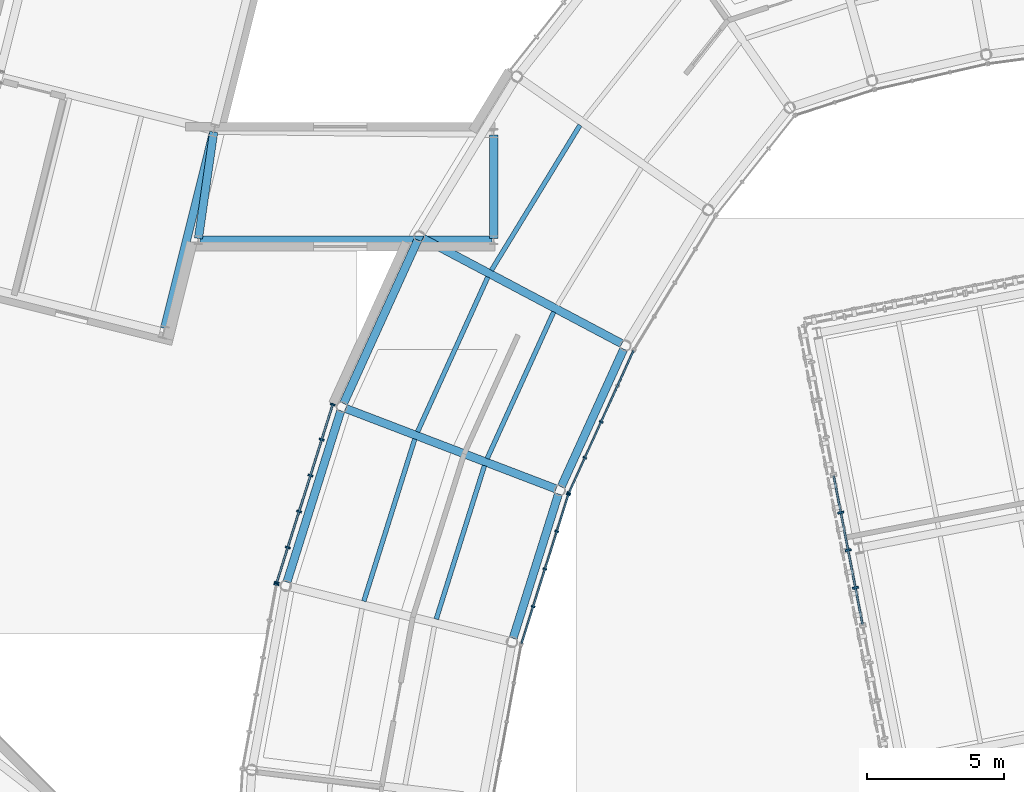
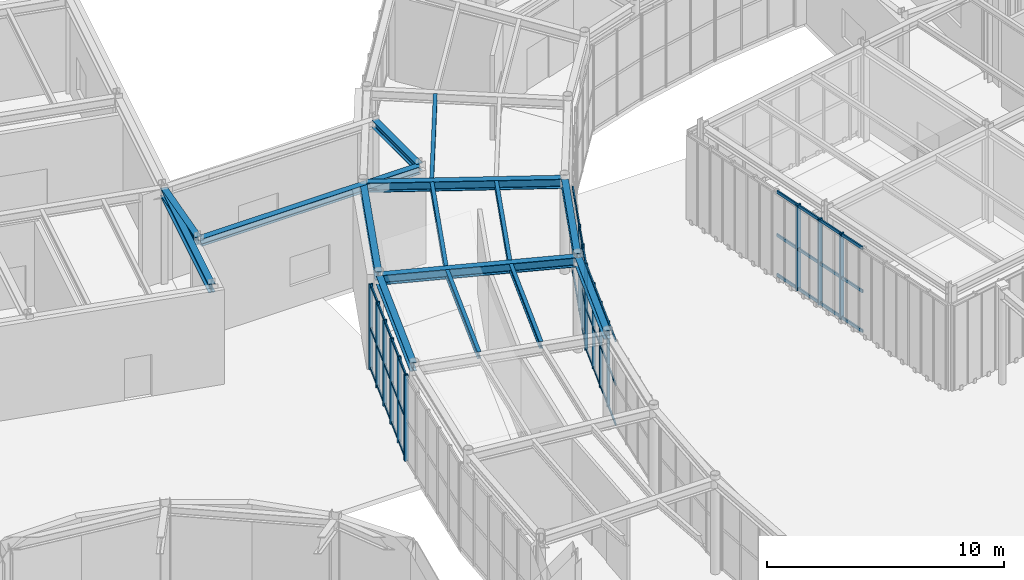
# One storey, part 40 of 97: 29 members, 15 beams, 5 elements without a shape of their own.
"""IFC4 building model written with IfcOpenShell, lengths in metres."""

from ifc_helpers import new_model, si_unit, direction, frame, origin, origin_2d, place, context, subcontext, project, spatial, rectangle, i_section, extrude, material, material_profile, profile_set, type_object, element, aggregate, save


model = new_model("IFC4")

# Units and contexts
model_context = context("Model", 3, precision=1e-05, world=origin(), true_north=direction((0.0, 1.0)))
body_context = subcontext(model_context, "Body", "Model", "MODEL_VIEW")
ifc_project = project(units=[si_unit("LENGTHUNIT", "METRE"), si_unit("AREAUNIT", "SQUARE_METRE"), si_unit("VOLUMEUNIT", "CUBIC_METRE"), si_unit("PLANEANGLEUNIT", "RADIAN"), si_unit("MASSUNIT", "GRAM", prefix="KILO")], contexts=[model_context])

# Site, building, storey
site_placement = place(None, origin())
site = spatial("IfcSite", under=ifc_project, at=site_placement, CompositionType="ELEMENT")
building_placement = place(site_placement, origin())
building = spatial("IfcBuilding", under=site, at=building_placement, Name="Varnklinge Art Gallery", CompositionType="ELEMENT")
storey_placement = place(building_placement, origin())
storey = spatial("IfcBuildingStorey", under=building, at=storey_placement, Name="L00", CompositionType="ELEMENT", Elevation=0.0)

# Beams
ifc_material_1 = material(Name="Steel S355", Category="steel")
ifc_material_profile_1 = material_profile(ifc_material_1, i_section(OverallWidth=0.300048828125, OverallDepth=0.489990234375, WebThickness=0.011962890625, FlangeThickness=0.02294921875, FilletRadius=0.027099609375, at=origin_2d()), Name="HEA 500")
ifc_profile_set_1 = profile_set([ifc_material_profile_1], Name="Steel S355")
beam_type_1 = type_object("IfcBeamType", Name="BM-07", PredefinedType="BEAM", material=ifc_profile_set_1)
for number, where, z_axis, x_axis, name in (
    (1, (46.407470703125, 81.265380859375, 4.635009765625), (0.883713647739, -0.468027978651, 0.0), (0.468027978651, 0.883713647739, 0.0), "L00 BM-07 BM-V2-L01-R23"),
    (2, (43.584228515625, 75.047119140625, 4.635009765625), (0.934013153302, -0.357238616976, 0.0), (0.357238616976, 0.934013153302, 0.0), "L00 BM-07 BM-V2-L01-R24"),
):
    element("IfcBeam", number, at=place(storey_placement, frame(where, z_axis=z_axis, x_axis=x_axis)), inside=storey, type_object=beam_type_1, Name=name, PredefinedType="BEAM", context=body_context, shape_type="SweptSolid", body=[
        extrude(i_section(OverallWidth=0.300048828125, OverallDepth=0.489990234375, WebThickness=0.011962890625, FlangeThickness=0.02294921875, FilletRadius=0.027099609375, at=origin_2d()), origin(), (0.0, 0.0, 1.0), 8.237060546875),
    ])
ifc_material_2 = material(Name="Steel S355", Category="steel")
ifc_material_profile_2 = material_profile(ifc_material_2, i_section(OverallWidth=0.300048828125, OverallDepth=0.43994140625, WebThickness=0.011474609375, FlangeThickness=0.02099609375, FilletRadius=0.027099609375, at=origin_2d()), Name="HEA 450")
ifc_profile_set_2 = profile_set([ifc_material_profile_2], Name="Steel S355")
beam_type_2 = type_object("IfcBeamType", Name="BM-08", PredefinedType="BEAM", material=ifc_profile_set_2)
beam_1_placement = place(storey_placement, frame((36.97021484375, 77.970703125, 4.659912109375), z_axis=(0.241939157724, 0.970291422182, 0.0), x_axis=(-0.970291422182, 0.241939157724, 0.0)))
element("IfcBeam", 3, at=beam_1_placement, inside=storey, type_object=beam_type_2, Name="L00 BM-08 BM-V5-L01-V4-0", PredefinedType="BEAM", context=body_context, shape_type="SweptSolid", body=[
    extrude(i_section(OverallWidth=0.300048828125, OverallDepth=0.43994140625, WebThickness=0.011474609375, FlangeThickness=0.02099609375, FilletRadius=0.027099609375, at=origin_2d()), origin(), (0.0, 0.0, 1.0), 7.320068359375),
])
ifc_material_3 = material(Name="Steel S355", Category="steel")
ifc_material_profile_3 = material_profile(ifc_material_3, i_section(OverallWidth=0.300048828125, OverallDepth=0.389892578125, WebThickness=0.010986328125, FlangeThickness=0.01904296875, FilletRadius=0.027099609375, at=origin_2d()), Name="HEA 400")
ifc_profile_set_3 = profile_set([ifc_material_profile_3], Name="Steel S355")
beam_type_3 = type_object("IfcBeamType", Name="BM-09", PredefinedType="BEAM", material=ifc_profile_set_3)
beam_2_placement = place(storey_placement, frame((38.260009765625, 81.199951171875, 4.68505859375), z_axis=(1.0, 0.0, 0.0), x_axis=(0.0, 1.0, 0.0)))
element("IfcBeam", 4, at=beam_2_placement, inside=storey, type_object=beam_type_3, Name="L00 BM-09 BM-LNK-V5-L01-1", PredefinedType="BEAM", context=body_context, shape_type="SweptSolid", body=[
    extrude(i_section(OverallWidth=0.300048828125, OverallDepth=0.389892578125, WebThickness=0.010986328125, FlangeThickness=0.01904296875, FilletRadius=0.027099609375, at=origin_2d()), origin(), (0.0, 0.0, 1.0), 10.679931640625),
])
beam_3_placement = place(storey_placement, frame((49.0, 81.260009765625, 4.68505859375), z_axis=(0.0, 1.0, 0.0), x_axis=(-1.0, 0.0, 0.0)))
element("IfcBeam", 5, at=beam_3_placement, inside=storey, type_object=beam_type_3, Name="L00 BM-09 BM-LNK-V5-L01-2", PredefinedType="BEAM", context=body_context, shape_type="SweptSolid", body=[
    extrude(i_section(OverallWidth=0.300048828125, OverallDepth=0.389892578125, WebThickness=0.010986328125, FlangeThickness=0.01904296875, FilletRadius=0.027099609375, at=origin_2d()), origin(), (0.0, 0.0, 1.0), 3.780029296875),
])
beam_4_placement = place(storey_placement, frame((38.7666015625, 85.149658203125, 4.68505859375), z_axis=(-0.142012740137, -0.989864829984, 0.0), x_axis=(0.989864829984, -0.142012740137, 0.0)))
element("IfcBeam", 6, at=beam_4_placement, inside=storey, type_object=beam_type_3, Name="L00 BM-09 BM-LNK-V5-L01-4", PredefinedType="BEAM", context=body_context, shape_type="SweptSolid", body=[
    extrude(i_section(OverallWidth=0.300048828125, OverallDepth=0.389892578125, WebThickness=0.010986328125, FlangeThickness=0.01904296875, FilletRadius=0.027099609375, at=origin_2d()), origin(), (0.0, 0.0, 1.0), 3.929931640625),
])
ifc_material_4 = material(Name="Steel S355", Category="steel")
ifc_material_profile_4 = material_profile(ifc_material_4, i_section(OverallWidth=0.169921875, OverallDepth=0.360107421875, WebThickness=0.008056640625, FlangeThickness=0.0126953125, FilletRadius=0.01806640625, at=origin_2d()), Name="IPE 360")
ifc_profile_set_4 = profile_set([ifc_material_profile_4], Name="Steel S355")
beam_type_4 = type_object("IfcBeamType", Name="JST-06", PredefinedType="JOIST", material=ifc_profile_set_4)
beam_5_placement = place(storey_placement, frame((52.152587890625, 85.399169921875, 4.699951171875), z_axis=(-0.520923848619, -0.853603153661, 0.0), x_axis=(0.853603153661, -0.520923848619, 0.0)))
element("IfcBeam", 7, at=beam_5_placement, inside=storey, type_object=beam_type_4, Name="L00 JST-06 JST-V2-L01-22-1", PredefinedType="JOIST", context=body_context, shape_type="SweptSolid", body=[
    extrude(i_section(OverallWidth=0.169921875, OverallDepth=0.360107421875, WebThickness=0.008056640625, FlangeThickness=0.0126953125, FilletRadius=0.01806640625, at=origin_2d()), origin(), (0.0, 0.0, 1.0), 6.213623046875),
])
beam_6_placement = place(storey_placement, frame((48.784912109375, 79.84814453125, 4.699951171875), z_axis=(-0.413409198448, -0.910545350127, 0.0), x_axis=(0.910545350127, -0.413409198448, 0.0)))
element("IfcBeam", 8, at=beam_6_placement, inside=storey, type_object=beam_type_4, Name="L00 JST-06 JST-V2-L01-23-1", PredefinedType="JOIST", context=body_context, shape_type="SweptSolid", body=[
    extrude(i_section(OverallWidth=0.169921875, OverallDepth=0.360107421875, WebThickness=0.008056640625, FlangeThickness=0.0126953125, FilletRadius=0.01806640625, at=origin_2d()), origin(), (0.0, 0.0, 1.0), 6.2138671875),
])
beam_7_placement = place(storey_placement, frame((51.193603515625, 78.572509765625, 4.699951171875), z_axis=(-0.413430786601, -0.910535548285, 0.0), x_axis=(0.910535548285, -0.413430786601, 0.0)))
element("IfcBeam", 9, at=beam_7_placement, inside=storey, type_object=beam_type_4, Name="L00 JST-06 JST-V2-L01-23-2", PredefinedType="JOIST", context=body_context, shape_type="SweptSolid", body=[
    extrude(i_section(OverallWidth=0.169921875, OverallDepth=0.360107421875, WebThickness=0.008056640625, FlangeThickness=0.0126953125, FilletRadius=0.01806640625, at=origin_2d()), origin(), (0.0, 0.0, 1.0), 5.88232421875),
])
beam_8_placement = place(storey_placement, frame((46.1162109375, 73.92919921875, 4.699951171875), z_axis=(-0.29971318729, -0.954029352465, 0.0), x_axis=(0.954029352465, -0.29971318729, 0.0)))
element("IfcBeam", 10, at=beam_8_placement, inside=storey, type_object=beam_type_4, Name="L00 JST-06 JST-V2-L01-24-1", PredefinedType="JOIST", context=body_context, shape_type="SweptSolid", body=[
    extrude(i_section(OverallWidth=0.169921875, OverallDepth=0.360107421875, WebThickness=0.008056640625, FlangeThickness=0.0126953125, FilletRadius=0.01806640625, at=origin_2d()), origin(), (0.0, 0.0, 1.0), 6.213623046875),
])
beam_9_placement = place(storey_placement, frame((48.662109375, 72.95556640625, 4.699951171875), z_axis=(-0.299756442746, -0.954015762465, 0.0), x_axis=(0.954015762465, -0.299756442746, 0.0)))
element("IfcBeam", 11, at=beam_9_placement, inside=storey, type_object=beam_type_4, Name="L00 JST-06 JST-V2-L01-24-2", PredefinedType="JOIST", context=body_context, shape_type="SweptSolid", body=[
    extrude(i_section(OverallWidth=0.169921875, OverallDepth=0.360107421875, WebThickness=0.008056640625, FlangeThickness=0.0126953125, FilletRadius=0.01806640625, at=origin_2d()), origin(), (0.0, 0.0, 1.0), 5.882080078125),
])

# Curtain wall, members
ifc_material_5 = material(Name="Anodised Aluminium", Category="aluminium")
curtain_wall_type_1 = type_object("IfcCurtainWallType", Name="CW-R01", PredefinedType="USERDEFINED", material=ifc_material_5)
curtain_wall_1_placement = place(storey_placement, origin())
curtain_wall_1 = element("IfcCurtainWall", 12, at=curtain_wall_1_placement, inside=storey, type_object=curtain_wall_type_1, Name="L00 Curtain Wall CW-V2O-L00-24", ObjectType="UNITISED CURTAIN WALL", PredefinedType="USERDEFINED")
ifc_material_6 = material(Name="Anodised Aluminium", Category="aluminium")
ifc_material_profile_5 = material_profile(ifc_material_6, rectangle(XDim=0.06494140625, YDim=0.179931640625, at=origin_2d()), Name="ALU 65x180")
ifc_profile_set_5 = profile_set([ifc_material_profile_5], Name="Anodised Aluminium")
member_type_1 = type_object("IfcMemberType", Name="MUL-01", PredefinedType="MULLION", material=ifc_profile_set_5)
member_1_placement = place(storey_placement, frame((43.116943359375, 75.191162109375, 0.0), z_axis=(0.0, 0.0, 1.0), x_axis=(-0.299706904751, -0.954031326134, 0.0)))
member_1 = element("IfcMember", 13, at=member_1_placement, type_object=member_type_1, Name="CW-V2O-L00-24 Mullion 1", PredefinedType="MULLION", context=body_context, shape_type="SweptSolid", body=[
    extrude(rectangle(XDim=0.06494140625, YDim=0.179931640625, at=origin_2d()), origin(), (0.0, 0.0, 1.0), 4.429931640625),
])
member_2_placement = place(storey_placement, frame((42.713623046875, 73.90771484375, 0.0), z_axis=(0.0, 0.0, 1.0), x_axis=(-0.299706904751, -0.954031326134, 0.0)))
member_2 = element("IfcMember", 14, at=member_2_placement, type_object=member_type_1, Name="CW-V2O-L00-24 Mullion 2", PredefinedType="MULLION", context=body_context, shape_type="SweptSolid", body=[
    extrude(rectangle(XDim=0.06494140625, YDim=0.179931640625, at=origin_2d()), origin(), (0.0, 0.0, 1.0), 4.429931640625),
])
member_3_placement = place(storey_placement, frame((42.30078125, 72.593505859375, 0.0), z_axis=(0.0, 0.0, 1.0), x_axis=(-0.299706904751, -0.954031326134, 0.0)))
member_3 = element("IfcMember", 15, at=member_3_placement, type_object=member_type_1, Name="CW-V2O-L00-24 Mullion 3", PredefinedType="MULLION", context=body_context, shape_type="SweptSolid", body=[
    extrude(rectangle(XDim=0.06494140625, YDim=0.179931640625, at=origin_2d()), origin(), (0.0, 0.0, 1.0), 4.429931640625),
])
member_4_placement = place(storey_placement, frame((41.8876953125, 71.279052734375, 0.0), z_axis=(0.0, 0.0, 1.0), x_axis=(-0.299706904751, -0.954031326134, 0.0)))
member_4 = element("IfcMember", 16, at=member_4_placement, type_object=member_type_1, Name="CW-V2O-L00-24 Mullion 4", PredefinedType="MULLION", context=body_context, shape_type="SweptSolid", body=[
    extrude(rectangle(XDim=0.06494140625, YDim=0.179931640625, at=origin_2d()), origin(), (0.0, 0.0, 1.0), 4.429931640625),
])
member_5_placement = place(storey_placement, frame((41.474853515625, 69.964599609375, 0.0), z_axis=(0.0, 0.0, 1.0), x_axis=(-0.299706904751, -0.954031326134, 0.0)))
member_5 = element("IfcMember", 17, at=member_5_placement, type_object=member_type_1, Name="CW-V2O-L00-24 Mullion 5", PredefinedType="MULLION", context=body_context, shape_type="SweptSolid", body=[
    extrude(rectangle(XDim=0.06494140625, YDim=0.179931640625, at=origin_2d()), origin(), (0.0, 0.0, 1.0), 4.429931640625),
])
member_6_placement = place(storey_placement, frame((41.071533203125, 68.68115234375, 0.0), z_axis=(0.0, 0.0, 1.0), x_axis=(-0.299706904751, -0.954031326134, 0.0)))
member_6 = element("IfcMember", 18, at=member_6_placement, type_object=member_type_1, Name="CW-V2O-L00-24 Mullion 6", PredefinedType="MULLION", context=body_context, shape_type="SweptSolid", body=[
    extrude(rectangle(XDim=0.06494140625, YDim=0.179931640625, at=origin_2d()), origin(), (0.0, 0.0, 1.0), 4.429931640625),
])

# Curtain wall, member
curtain_wall_2_placement = place(storey_placement, origin())
curtain_wall_2 = element("IfcCurtainWall", 19, at=curtain_wall_2_placement, inside=storey, type_object=curtain_wall_type_1, Name="L00 Curtain Wall CW-V2O-L00-25", ObjectType="UNITISED CURTAIN WALL", PredefinedType="USERDEFINED")
member_7_placement = place(storey_placement, frame((41.055908203125, 68.6181640625, 0.0), z_axis=(0.0, 0.0, 1.0), x_axis=(-0.18172066947, -0.983350191075, 0.0)))
member_7 = element("IfcMember", 20, at=member_7_placement, type_object=member_type_1, Name="CW-V2O-L00-25 Mullion 1", PredefinedType="MULLION", context=body_context, shape_type="SweptSolid", body=[
    extrude(rectangle(XDim=0.06494140625, YDim=0.179931640625, at=origin_2d()), origin(), (0.0, 0.0, 1.0), 4.429931640625),
])
aggregate(curtain_wall_2, [member_7])

# Curtain wall, members
ifc_material_7 = material(Name="Anodised Aluminium", Category="aluminium")
curtain_wall_type_2 = type_object("IfcCurtainWallType", Name="CW-L05", PredefinedType="USERDEFINED", material=ifc_material_7)
curtain_wall_3_placement = place(storey_placement, origin())
curtain_wall_3 = element("IfcCurtainWall", 21, at=curtain_wall_3_placement, inside=storey, type_object=curtain_wall_type_2, Name="L00 Curtain Wall CW-V4B-L00-4-1-2", ObjectType="UNITISED CURTAIN WALL", PredefinedType="USERDEFINED")
ifc_material_8 = material(Name="Anodised Aluminium", Category="aluminium")
ifc_material_profile_6 = material_profile(ifc_material_8, rectangle(XDim=0.074951171875, YDim=0.219970703125, at=origin_2d()), Name="ALU 75x220")
ifc_profile_set_6 = profile_set([ifc_material_profile_6], Name="Anodised Aluminium")
member_type_2 = type_object("IfcMemberType", Name="MUL-02", PredefinedType="MULLION", material=ifc_profile_set_6)
member_8_placement = place(storey_placement, frame((61.686279296875, 71.2412109375, 0.0), z_axis=(0.0, 0.0, 1.0), x_axis=(0.190808995377, -0.981627183448, 0.0)))
member_8 = element("IfcMember", 22, at=member_8_placement, type_object=member_type_2, Name="CW-V4B-L00-4-1-2 Mullion 2", PredefinedType="MULLION", context=body_context, shape_type="SweptSolid", body=[
    extrude(rectangle(XDim=0.074951171875, YDim=0.219970703125, at=origin_2d()), origin(), (0.0, 0.0, 1.0), 4.429931640625),
])
member_9_placement = place(storey_placement, frame((61.95361328125, 69.86669921875, 0.0), z_axis=(0.0, 0.0, 1.0), x_axis=(0.190808995377, -0.981627183448, 0.0)))
member_9 = element("IfcMember", 23, at=member_9_placement, type_object=member_type_2, Name="CW-V4B-L00-4-1-2 Mullion 3", PredefinedType="MULLION", context=body_context, shape_type="SweptSolid", body=[
    extrude(rectangle(XDim=0.074951171875, YDim=0.219970703125, at=origin_2d()), origin(), (0.0, 0.0, 1.0), 4.429931640625),
])
member_10_placement = place(storey_placement, frame((62.220703125, 68.49267578125, 0.0), z_axis=(0.0, 0.0, 1.0), x_axis=(0.190808995377, -0.981627183448, 0.0)))
member_10 = element("IfcMember", 24, at=member_10_placement, type_object=member_type_2, Name="CW-V4B-L00-4-1-2 Mullion 4", PredefinedType="MULLION", context=body_context, shape_type="SweptSolid", body=[
    extrude(rectangle(XDim=0.074951171875, YDim=0.219970703125, at=origin_2d()), origin(), (0.0, 0.0, 1.0), 4.429931640625),
])

ifc_material_9 = material(Name="Anodised Aluminium", Category="aluminium")
curtain_wall_type_3 = type_object("IfcCurtainWallType", Name="CW-R03", PredefinedType="USERDEFINED", material=ifc_material_9)
curtain_wall_4_placement = place(storey_placement, origin())
curtain_wall_4 = element("IfcCurtainWall", 25, at=curtain_wall_4_placement, inside=storey, type_object=curtain_wall_type_3, Name="L00 Curtain Wall CW-V2I-L00-23", ObjectType="UNITISED CURTAIN WALL", PredefinedType="USERDEFINED")
ifc_material_10 = material(Name="Anodised Aluminium", Category="aluminium")
ifc_material_profile_7 = material_profile(ifc_material_10, rectangle(XDim=0.06005859375, YDim=0.139892578125, at=origin_2d()), Name="ALU 60x140")
ifc_profile_set_7 = profile_set([ifc_material_profile_7], Name="Anodised Aluminium")
member_type_3 = type_object("IfcMemberType", Name="MUL-03", PredefinedType="MULLION", material=ifc_profile_set_7)
member_11_placement = place(storey_placement, frame((51.748046875, 71.956787109375, 0.0), z_axis=(0.0, 0.0, 1.0), x_axis=(0.413422293217, 0.910539404678, 0.0)))
member_11 = element("IfcMember", 26, at=member_11_placement, type_object=member_type_3, Name="CW-V2I-L00-23 Mullion 1", PredefinedType="MULLION", context=body_context, shape_type="SweptSolid", body=[
    extrude(rectangle(XDim=0.06005859375, YDim=0.139892578125, at=origin_2d()), origin(), (0.0, 0.0, 1.0), 4.429931640625),
])
member_12_placement = place(storey_placement, frame((52.33154296875, 73.242431640625, 0.0), z_axis=(0.0, 0.0, 1.0), x_axis=(0.413422293217, 0.910539404678, 0.0)))
member_12 = element("IfcMember", 27, at=member_12_placement, type_object=member_type_3, Name="CW-V2I-L00-23 Mullion 2", PredefinedType="MULLION", context=body_context, shape_type="SweptSolid", body=[
    extrude(rectangle(XDim=0.06005859375, YDim=0.139892578125, at=origin_2d()), origin(), (0.0, 0.0, 1.0), 4.429931640625),
])
member_13_placement = place(storey_placement, frame((52.927490234375, 74.55517578125, 0.0), z_axis=(0.0, 0.0, 1.0), x_axis=(0.413422293217, 0.910539404678, 0.0)))
member_13 = element("IfcMember", 28, at=member_13_placement, type_object=member_type_3, Name="CW-V2I-L00-23 Mullion 3", PredefinedType="MULLION", context=body_context, shape_type="SweptSolid", body=[
    extrude(rectangle(XDim=0.06005859375, YDim=0.139892578125, at=origin_2d()), origin(), (0.0, 0.0, 1.0), 4.429931640625),
])

curtain_wall_5_placement = place(storey_placement, origin())
curtain_wall_5 = element("IfcCurtainWall", 29, at=curtain_wall_5_placement, inside=storey, type_object=curtain_wall_type_3, Name="L00 Curtain Wall CW-V2I-L00-24", ObjectType="UNITISED CURTAIN WALL", PredefinedType="USERDEFINED")
member_14_placement = place(storey_placement, frame((50.439208984375, 67.802978515625, 0.0), z_axis=(0.0, 0.0, 1.0), x_axis=(0.299706904751, 0.954031326134, 0.0)))
member_14 = element("IfcMember", 30, at=member_14_placement, type_object=member_type_3, Name="CW-V2I-L00-24 Mullion 2", PredefinedType="MULLION", context=body_context, shape_type="SweptSolid", body=[
    extrude(rectangle(XDim=0.06005859375, YDim=0.139892578125, at=origin_2d()), origin(), (0.0, 0.0, 1.0), 4.429931640625),
])
member_15_placement = place(storey_placement, frame((50.87109375, 69.1787109375, 0.0), z_axis=(0.0, 0.0, 1.0), x_axis=(0.299706904751, 0.954031326134, 0.0)))
member_15 = element("IfcMember", 31, at=member_15_placement, type_object=member_type_3, Name="CW-V2I-L00-24 Mullion 3", PredefinedType="MULLION", context=body_context, shape_type="SweptSolid", body=[
    extrude(rectangle(XDim=0.06005859375, YDim=0.139892578125, at=origin_2d()), origin(), (0.0, 0.0, 1.0), 4.429931640625),
])
member_16_placement = place(storey_placement, frame((51.303466796875, 70.55419921875, 0.0), z_axis=(0.0, 0.0, 1.0), x_axis=(0.299706904751, 0.954031326134, 0.0)))
member_16 = element("IfcMember", 32, at=member_16_placement, type_object=member_type_3, Name="CW-V2I-L00-24 Mullion 4", PredefinedType="MULLION", context=body_context, shape_type="SweptSolid", body=[
    extrude(rectangle(XDim=0.06005859375, YDim=0.139892578125, at=origin_2d()), origin(), (0.0, 0.0, 1.0), 4.429931640625),
])
member_17_placement = place(storey_placement, frame((51.7265625, 71.90087890625, 0.0), z_axis=(0.0, 0.0, 1.0), x_axis=(0.299706904751, 0.954031326134, 0.0)))
member_17 = element("IfcMember", 33, at=member_17_placement, type_object=member_type_3, Name="CW-V2I-L00-24 Mullion 5", PredefinedType="MULLION", context=body_context, shape_type="SweptSolid", body=[
    extrude(rectangle(XDim=0.06005859375, YDim=0.139892578125, at=origin_2d()), origin(), (0.0, 0.0, 1.0), 4.429931640625),
])

# Beams
ifc_material_11 = material(Name="Steel S355", Category="steel")
ifc_material_profile_8 = material_profile(ifc_material_11, i_section(OverallWidth=0.300048828125, OverallDepth=0.43994140625, WebThickness=0.011474609375, FlangeThickness=0.02099609375, FilletRadius=0.027099609375, at=origin_2d()), Name="HEA 450")
ifc_profile_set_8 = profile_set([ifc_material_profile_8], Name="Steel S355")
beam_type_5 = type_object("IfcBeamType", Name="SPB-02", PredefinedType="SPANDREL", material=ifc_profile_set_8)
beam_10_placement = place(storey_placement, frame((46.225830078125, 81.20361328125, 4.659912109375), z_axis=(-0.413377101484, -0.910559922229, 0.0), x_axis=(0.910559922229, -0.413377101484, 0.0)))
element("IfcBeam", 34, at=beam_10_placement, inside=storey, type_object=beam_type_5, Name="L00 SPB-02 BM-V2-L01-O23", PredefinedType="SPANDREL", context=body_context, shape_type="SweptSolid", body=[
    extrude(i_section(OverallWidth=0.300048828125, OverallDepth=0.43994140625, WebThickness=0.011474609375, FlangeThickness=0.02099609375, FilletRadius=0.027099609375, at=origin_2d()), origin(), (0.0, 0.0, 1.0), 6.56640625),
])
beam_11_placement = place(storey_placement, frame((53.75244140625, 77.217041015625, 4.659912109375), z_axis=(-0.413397065821, -0.910550858531, 0.0), x_axis=(0.910550858531, -0.413397065821, 0.0)))
element("IfcBeam", 35, at=beam_11_placement, inside=storey, type_object=beam_type_5, Name="L00 SPB-02 BM-V2-L01-I23", PredefinedType="SPANDREL", context=body_context, shape_type="SweptSolid", body=[
    extrude(i_section(OverallWidth=0.300048828125, OverallDepth=0.43994140625, WebThickness=0.011474609375, FlangeThickness=0.02099609375, FilletRadius=0.027099609375, at=origin_2d()), origin(), (0.0, 0.0, 1.0), 5.529541015625),
])
beam_12_placement = place(storey_placement, frame((43.41162109375, 74.963623046875, 4.659912109375), z_axis=(-0.299727009364, -0.95402501008, 0.0), x_axis=(0.95402501008, -0.299727009364, 0.0)))
element("IfcBeam", 36, at=beam_12_placement, inside=storey, type_object=beam_type_5, Name="L00 SPB-02 BM-V2-L01-O24", PredefinedType="SPANDREL", context=body_context, shape_type="SweptSolid", body=[
    extrude(i_section(OverallWidth=0.300048828125, OverallDepth=0.43994140625, WebThickness=0.011474609375, FlangeThickness=0.02099609375, FilletRadius=0.027099609375, at=origin_2d()), origin(), (0.0, 0.0, 1.0), 6.56591796875),
])
beam_13_placement = place(storey_placement, frame((51.36669921875, 71.9208984375, 4.659912109375), z_axis=(-0.299742786947, -0.954020053077, 0.0), x_axis=(0.954020053077, -0.299742786947, 0.0)))
element("IfcBeam", 37, at=beam_13_placement, inside=storey, type_object=beam_type_5, Name="L00 SPB-02 BM-V2-L01-I24", PredefinedType="SPANDREL", context=body_context, shape_type="SweptSolid", body=[
    extrude(i_section(OverallWidth=0.300048828125, OverallDepth=0.43994140625, WebThickness=0.011474609375, FlangeThickness=0.02099609375, FilletRadius=0.027099609375, at=origin_2d()), origin(), (0.0, 0.0, 1.0), 5.529541015625),
])

# Member
ifc_material_12 = material(Name="Anodised Aluminium", Category="aluminium")
ifc_material_profile_9 = material_profile(ifc_material_12, rectangle(XDim=0.06494140625, YDim=0.14990234375, at=origin_2d()), Name="ALU 65x150")
ifc_profile_set_9 = profile_set([ifc_material_profile_9], Name="Anodised Aluminium")
member_type_4 = type_object("IfcMemberType", Name="TRN-01", PredefinedType="USERDEFINED", material=ifc_profile_set_9)
member_18_placement = place(storey_placement, frame((43.116943359375, 75.191162109375, 0.074951171875), z_axis=(-0.299747517442, -0.954018566794, 0.0), x_axis=(0.954018566794, -0.299747517442, 0.0)))
member_18 = element("IfcMember", 38, at=member_18_placement, type_object=member_type_4, Name="CW-V2O-L00-24 Transom 1", ObjectType="TRANSOM", PredefinedType="USERDEFINED", context=body_context, shape_type="SweptSolid", body=[
    extrude(rectangle(XDim=0.06494140625, YDim=0.14990234375, at=origin_2d()), origin(), (0.0, 0.0, 1.0), 6.82373046875),
])

member_19_placement = place(storey_placement, frame((43.116943359375, 75.191162109375, 2.12646484375), z_axis=(-0.299747517442, -0.954018566794, 0.0), x_axis=(0.954018566794, -0.299747517442, 0.0)))
member_19 = element("IfcMember", 39, at=member_19_placement, type_object=member_type_4, Name="CW-V2O-L00-24 Transom 2", ObjectType="TRANSOM", PredefinedType="USERDEFINED", context=body_context, shape_type="SweptSolid", body=[
    extrude(rectangle(XDim=0.06494140625, YDim=0.14990234375, at=origin_2d()), origin(), (0.0, 0.0, 1.0), 6.82373046875),
])

member_20_placement = place(storey_placement, frame((43.116943359375, 75.191162109375, 4.35498046875), z_axis=(-0.299747517442, -0.954018566794, 0.0), x_axis=(0.954018566794, -0.299747517442, 0.0)))
member_20 = element("IfcMember", 40, at=member_20_placement, type_object=member_type_4, Name="CW-V2O-L00-24 Transom 3", ObjectType="TRANSOM", PredefinedType="USERDEFINED", context=body_context, shape_type="SweptSolid", body=[
    extrude(rectangle(XDim=0.06494140625, YDim=0.14990234375, at=origin_2d()), origin(), (0.0, 0.0, 1.0), 6.82373046875),
])

aggregate(curtain_wall_1, [member_1, member_2, member_3, member_4, member_5, member_6, member_18, member_19, member_20])

member_21_placement = place(storey_placement, frame((61.426513671875, 72.57861328125, 0.074951171875), z_axis=(0.190802243749, -0.981628495807, 0.0), x_axis=(0.981628495807, 0.190802243749, 0.0)))
member_21 = element("IfcMember", 41, at=member_21_placement, type_object=member_type_4, Name="CW-V4B-L00-4-1-2 Transom 1", ObjectType="TRANSOM", PredefinedType="USERDEFINED", context=body_context, shape_type="SweptSolid", body=[
    extrude(rectangle(XDim=0.06494140625, YDim=0.14990234375, at=origin_2d()), origin(), (0.0, 0.0, 1.0), 5.525146484375),
])

member_22_placement = place(storey_placement, frame((61.426513671875, 72.57861328125, 2.12646484375), z_axis=(0.190802243749, -0.981628495807, 0.0), x_axis=(0.981628495807, 0.190802243749, 0.0)))
member_22 = element("IfcMember", 42, at=member_22_placement, type_object=member_type_4, Name="CW-V4B-L00-4-1-2 Transom 2", ObjectType="TRANSOM", PredefinedType="USERDEFINED", context=body_context, shape_type="SweptSolid", body=[
    extrude(rectangle(XDim=0.06494140625, YDim=0.14990234375, at=origin_2d()), origin(), (0.0, 0.0, 1.0), 5.525146484375),
])

member_23_placement = place(storey_placement, frame((61.426513671875, 72.57861328125, 4.35498046875), z_axis=(0.190802243749, -0.981628495807, 0.0), x_axis=(0.981628495807, 0.190802243749, 0.0)))
member_23 = element("IfcMember", 43, at=member_23_placement, type_object=member_type_4, Name="CW-V4B-L00-4-1-2 Transom 3", ObjectType="TRANSOM", PredefinedType="USERDEFINED", context=body_context, shape_type="SweptSolid", body=[
    extrude(rectangle(XDim=0.06494140625, YDim=0.14990234375, at=origin_2d()), origin(), (0.0, 0.0, 1.0), 5.525146484375),
])

aggregate(curtain_wall_3, [member_8, member_9, member_10, member_21, member_22, member_23])

ifc_material_13 = material(Name="Anodised Aluminium", Category="aluminium")
ifc_material_profile_10 = material_profile(ifc_material_13, rectangle(XDim=0.06005859375, YDim=0.1201171875, at=origin_2d()), Name="ALU 60x120")
ifc_profile_set_10 = profile_set([ifc_material_profile_10], Name="Anodised Aluminium")
member_type_5 = type_object("IfcMemberType", Name="TRN-02", PredefinedType="USERDEFINED", material=ifc_profile_set_10)
member_24_placement = place(storey_placement, frame((51.748046875, 71.956787109375, 0.06005859375), z_axis=(0.413396814736, 0.910550972525, 0.0), x_axis=(-0.910550972525, 0.413396814736, 0.0)))
member_24 = element("IfcMember", 44, at=member_24_placement, type_object=member_type_5, Name="CW-V2I-L00-23 Transom 1", ObjectType="TRANSOM", PredefinedType="USERDEFINED", context=body_context, shape_type="SweptSolid", body=[
    extrude(rectangle(XDim=0.06005859375, YDim=0.1201171875, at=origin_2d()), origin(), (0.0, 0.0, 1.0), 5.707275390625),
])

member_25_placement = place(storey_placement, frame((51.748046875, 71.956787109375, 2.12646484375), z_axis=(0.413396814736, 0.910550972525, 0.0), x_axis=(-0.910550972525, 0.413396814736, 0.0)))
member_25 = element("IfcMember", 45, at=member_25_placement, type_object=member_type_5, Name="CW-V2I-L00-23 Transom 2", ObjectType="TRANSOM", PredefinedType="USERDEFINED", context=body_context, shape_type="SweptSolid", body=[
    extrude(rectangle(XDim=0.06005859375, YDim=0.1201171875, at=origin_2d()), origin(), (0.0, 0.0, 1.0), 5.707275390625),
])

member_26_placement = place(storey_placement, frame((51.748046875, 71.956787109375, 4.3701171875), z_axis=(0.413396814736, 0.910550972525, 0.0), x_axis=(-0.910550972525, 0.413396814736, 0.0)))
member_26 = element("IfcMember", 46, at=member_26_placement, type_object=member_type_5, Name="CW-V2I-L00-23 Transom 3", ObjectType="TRANSOM", PredefinedType="USERDEFINED", context=body_context, shape_type="SweptSolid", body=[
    extrude(rectangle(XDim=0.06005859375, YDim=0.1201171875, at=origin_2d()), origin(), (0.0, 0.0, 1.0), 5.707275390625),
])

aggregate(curtain_wall_4, [member_11, member_12, member_13, member_24, member_25, member_26])

member_27_placement = place(storey_placement, frame((50.015869140625, 66.456298828125, 0.06005859375), z_axis=(0.29975317852, 0.954016788095, 0.0), x_axis=(-0.954016788095, 0.29975317852, 0.0)))
member_27 = element("IfcMember", 47, at=member_27_placement, type_object=member_type_5, Name="CW-V2I-L00-24 Transom 1", ObjectType="TRANSOM", PredefinedType="USERDEFINED", context=body_context, shape_type="SweptSolid", body=[
    extrude(rectangle(XDim=0.06005859375, YDim=0.1201171875, at=origin_2d()), origin(), (0.0, 0.0, 1.0), 5.70703125),
])

member_28_placement = place(storey_placement, frame((50.015869140625, 66.456298828125, 2.12646484375), z_axis=(0.29975317852, 0.954016788095, 0.0), x_axis=(-0.954016788095, 0.29975317852, 0.0)))
member_28 = element("IfcMember", 48, at=member_28_placement, type_object=member_type_5, Name="CW-V2I-L00-24 Transom 2", ObjectType="TRANSOM", PredefinedType="USERDEFINED", context=body_context, shape_type="SweptSolid", body=[
    extrude(rectangle(XDim=0.06005859375, YDim=0.1201171875, at=origin_2d()), origin(), (0.0, 0.0, 1.0), 5.70703125),
])

member_29_placement = place(storey_placement, frame((50.015869140625, 66.456298828125, 4.3701171875), z_axis=(0.29975317852, 0.954016788095, 0.0), x_axis=(-0.954016788095, 0.29975317852, 0.0)))
member_29 = element("IfcMember", 49, at=member_29_placement, type_object=member_type_5, Name="CW-V2I-L00-24 Transom 3", ObjectType="TRANSOM", PredefinedType="USERDEFINED", context=body_context, shape_type="SweptSolid", body=[
    extrude(rectangle(XDim=0.06005859375, YDim=0.1201171875, at=origin_2d()), origin(), (0.0, 0.0, 1.0), 5.70703125),
])

aggregate(curtain_wall_5, [member_14, member_15, member_16, member_17, member_27, member_28, member_29])

save(model, "model.ifc")
